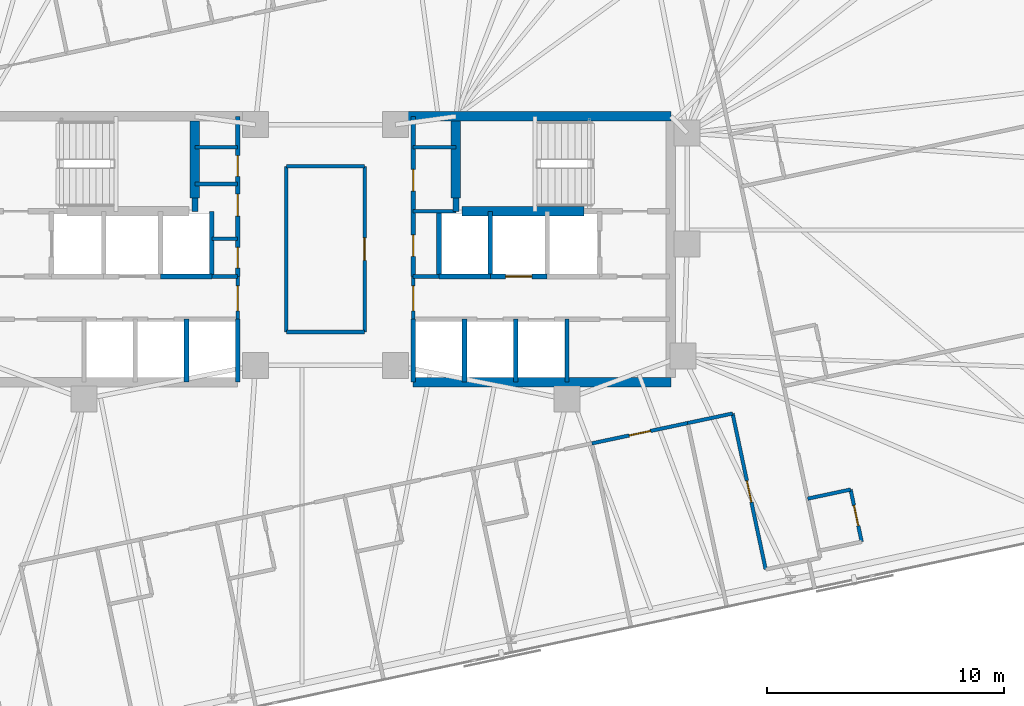
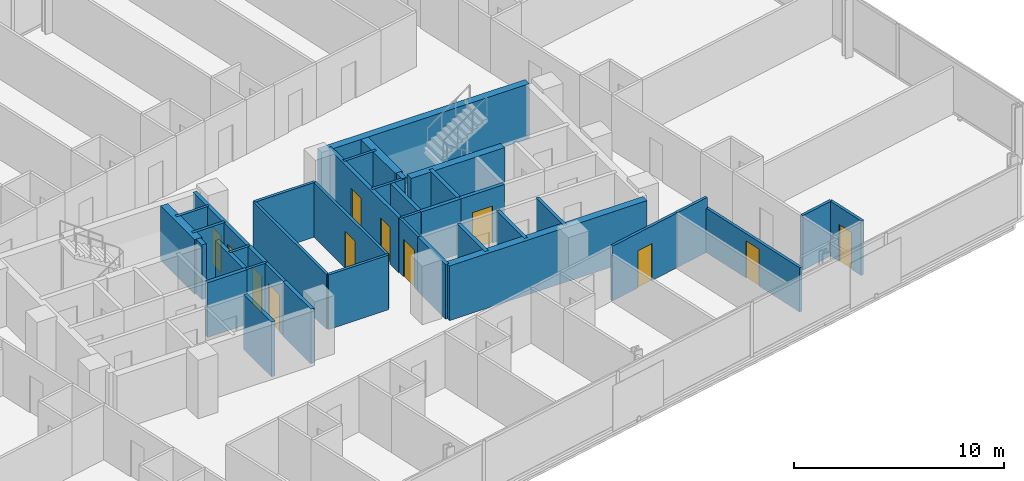
# One storey, part 16 of 21: 39 walls, 12 doors, 12 openings.
"""IFC4 building model written with IfcOpenShell, lengths in metres."""

from ifc_helpers import new_model, si_unit, direction, frame, frame_2d, origin, place, context, subcontext, project, spatial, rectangle, extrude, material, layer, layer_set, type_object, element, fill, save


model = new_model("IFC4")

# Units and contexts
model_context = context("Model", 3, precision=1e-05, world=origin(), true_north=direction((0.0, 1.0)))
body_context = subcontext(model_context, "Body", "Model", "MODEL_VIEW")
ifc_project = project(units=[si_unit("LENGTHUNIT", "METRE"), si_unit("AREAUNIT", "SQUARE_METRE"), si_unit("VOLUMEUNIT", "CUBIC_METRE"), si_unit("PLANEANGLEUNIT", "RADIAN"), si_unit("MASSUNIT", "GRAM", prefix="KILO")], contexts=[model_context])

# Site, building, storey
site_placement = place(None, origin())
site = spatial("IfcSite", under=ifc_project, at=site_placement, CompositionType="ELEMENT")
building_placement = place(site_placement, origin())
building = spatial("IfcBuilding", under=site, at=building_placement, Name="Menara Jurai Vektor", CompositionType="ELEMENT")
storey_placement = place(building_placement, frame((0.0, 0.0, 165.0)))
storey = spatial("IfcBuildingStorey", under=building, at=storey_placement, Name="L42", CompositionType="ELEMENT", Elevation=165.0)

# Walls
ifc_material_1 = material(Name="Concrete C40/50", Category="concrete")
ifc_layer_1 = layer(ifc_material_1, 0.25)
ifc_layer_set_1 = layer_set([ifc_layer_1], Name="Concrete C40/50")
wall_type_1 = type_object("IfcWallType", Name="INT-WALL-CORE-250", PredefinedType="STANDARD", material=ifc_layer_set_1)
for number, where, z_axis, x_axis, name in (
    (1, (-5.5, 1.60009765625, 0.0), (0.0, 0.0, 1.0), (0.0, 1.0, 0.0), "Interior Wall IW-250 L42"),
    (2, (5.5, 1.60009765625, 0.0), (0.0, 0.0, 1.0), (0.0, 1.0, 0.0), "Interior Wall IW-250 L42"),
):
    element("IfcWall", number, at=place(storey_placement, frame(where, z_axis=z_axis, x_axis=x_axis)), inside=storey, type_object=wall_type_1, Name=name, PredefinedType="STANDARD", context=body_context, shape_type="SweptSolid", body=[
        extrude(rectangle(XDim=0.5498046875, YDim=0.25, at=frame_2d((0.27490234375, 0.0))), origin(), (0.0, 0.0, 1.0), 3.175048828125),
    ])

# Wall, opening, door
ifc_material_2 = material(Name="Gypsum Fireboard Partition", Category="gypsum")
ifc_layer_2 = layer(ifc_material_2, 0.14990234375)
ifc_layer_set_2 = layer_set([ifc_layer_2], Name="Gypsum Fireboard Partition")
wall_type_2 = type_object("IfcWallType", Name="INT-WALL-CORR-150", PredefinedType="PARTITIONING", material=ifc_layer_set_2)
wall_1_placement = place(storey_placement, frame((-3.699951171875, -2.949951171875, 0.0), z_axis=(0.0, 0.0, 1.0), x_axis=(0.0, 1.0, 0.0)))
wall_1 = element("IfcWall", 3, at=wall_1_placement, inside=storey, type_object=wall_type_2, Name="Interior Wall IW-150 L42", PredefinedType="PARTITIONING", context=body_context, shape_type="SweptSolid", body=[
    extrude(rectangle(XDim=1.800048828125, YDim=0.14990234375, at=frame_2d((0.89990234375, 0.0))), origin(), (0.0, 0.0, 1.0), 3.175048828125),
])
opening_1_placement = place(wall_1_placement, frame((0.35009765625, 0.0, 0.0)))
opening_1 = element("IfcOpeningElement", 4, at=opening_1_placement, cuts=wall_1, Name="Opening D-L42-LLW", PredefinedType="OPENING", context=body_context, shape_type="SweptSolid", body=[
    extrude(rectangle(XDim=1.050048828125, YDim=2.179931640625, at=frame_2d((0.52490234375, 1.08984375))), frame((0.0, 0.0849609375, 0.0), z_axis=(0.0, -1.0, 0.0), x_axis=(1.0, 0.0, 0.0)), (0.0, 0.0, 1.0), 0.169921875),
])
ifc_material_3 = material(Name="Fire-Rated Timber Door", Category="wood")
door_type_1 = type_object("IfcDoorType", Name="DR-LOBBY-1050", OperationType="NOTDEFINED", PredefinedType="DOOR", material=ifc_material_3)
door_1_placement = place(opening_1_placement, origin())
door_1 = element("IfcDoor", 5, at=door_1_placement, inside=storey, type_object=door_type_1, Name="Lift Lobby Corridor Door W L42", OperationType="SINGLE_SWING_LEFT", OverallHeight=2.179931640625, OverallWidth=1.050048828125, PredefinedType="DOOR", context=body_context, shape_type="SweptSolid", body=[
    extrude(rectangle(XDim=1.050048828125, YDim=2.179931640625, at=frame_2d((0.52490234375, 1.08984375))), frame((0.0, 0.02490234375, 0.0), z_axis=(0.0, -1.0, 0.0), x_axis=(1.0, 0.0, 0.0)), (0.0, 0.0, 1.0), 0.050048828125),
])
fill(opening_1, door_1)

# Wall
wall_2_placement = place(storey_placement, frame((-4.7900390625, -1.14990234375, 0.0), z_axis=(0.0, 0.0, 1.0), x_axis=(1.0, 0.0, 0.0)))
element("IfcWall", 6, at=wall_2_placement, inside=storey, type_object=wall_type_2, Name="Interior Wall IW-150 L42", PredefinedType="PARTITIONING", context=body_context, shape_type="SweptSolid", body=[
    extrude(rectangle(XDim=1.090087890625, YDim=0.14990234375, at=frame_2d((0.544921875, 0.0))), origin(), (0.0, 0.0, 1.0), 3.175048828125),
])

# Wall, opening, door
wall_3_placement = place(storey_placement, frame((3.699951171875, -2.949951171875, 0.0), z_axis=(0.0, 0.0, 1.0), x_axis=(0.0, 1.0, 0.0)))
wall_3 = element("IfcWall", 7, at=wall_3_placement, inside=storey, type_object=wall_type_2, Name="Interior Wall IW-150 L42", PredefinedType="PARTITIONING", context=body_context, shape_type="SweptSolid", body=[
    extrude(rectangle(XDim=1.800048828125, YDim=0.14990234375, at=frame_2d((0.89990234375, 0.0))), origin(), (0.0, 0.0, 1.0), 3.175048828125),
])
opening_2_placement = place(wall_3_placement, frame((0.35009765625, 0.0, 0.0)))
opening_2 = element("IfcOpeningElement", 8, at=opening_2_placement, cuts=wall_3, Name="Opening D-L42-LLE", PredefinedType="OPENING", context=body_context, shape_type="SweptSolid", body=[
    extrude(rectangle(XDim=1.050048828125, YDim=2.179931640625, at=frame_2d((0.52490234375, 1.08984375))), frame((0.0, 0.0849609375, 0.0), z_axis=(0.0, -1.0, 0.0), x_axis=(1.0, 0.0, 0.0)), (0.0, 0.0, 1.0), 0.169921875),
])
door_2_placement = place(opening_2_placement, frame((1.050048828125, 0.0, 0.0), z_axis=(0.0, 0.0, 1.0), x_axis=(-1.0, 0.0, 0.0)))
door_2 = element("IfcDoor", 9, at=door_2_placement, inside=storey, type_object=door_type_1, Name="Lift Lobby Corridor Door E L42", OperationType="SINGLE_SWING_RIGHT", OverallHeight=2.179931640625, OverallWidth=1.050048828125, PredefinedType="DOOR", context=body_context, shape_type="SweptSolid", body=[
    extrude(rectangle(XDim=1.050048828125, YDim=2.179931640625, at=frame_2d((0.52490234375, 1.08984375))), frame((0.0, 0.02490234375, 0.0), z_axis=(0.0, -1.0, 0.0), x_axis=(1.0, 0.0, 0.0)), (0.0, 0.0, 1.0), 0.050048828125),
])
fill(opening_2, door_2)

# Walls
wall_4_placement = place(storey_placement, frame((3.699951171875, -1.14990234375, 0.0), z_axis=(0.0, 0.0, 1.0), x_axis=(1.0, 0.0, 0.0)))
element("IfcWall", 10, at=wall_4_placement, inside=storey, type_object=wall_type_2, Name="Interior Wall IW-150 L42", PredefinedType="PARTITIONING", context=body_context, shape_type="SweptSolid", body=[
    extrude(rectangle(XDim=1.090087890625, YDim=0.14990234375, at=frame_2d((0.544921875, 0.0))), origin(), (0.0, 0.0, 1.0), 3.175048828125),
])
wall_5_placement = place(storey_placement, frame((-5.5, 4.300048828125, 0.0), z_axis=(0.0, 0.0, 1.0), x_axis=(1.0, 0.0, 0.0)))
element("IfcWall", 11, at=wall_5_placement, inside=storey, type_object=wall_type_2, Name="Interior Wall IW-150 L42", PredefinedType="PARTITIONING", context=body_context, shape_type="SweptSolid", body=[
    extrude(rectangle(XDim=1.800048828125, YDim=0.14990234375, at=frame_2d((0.89990234375, 0.0))), origin(), (0.0, 0.0, 1.0), 3.175048828125),
])
wall_6_placement = place(storey_placement, frame((-4.7900390625, 0.449951171875, 0.0), z_axis=(0.0, 0.0, 1.0), x_axis=(1.0, 0.0, 0.0)))
element("IfcWall", 12, at=wall_6_placement, inside=storey, type_object=wall_type_2, Name="Interior Wall IW-150 L42", PredefinedType="PARTITIONING", context=body_context, shape_type="SweptSolid", body=[
    extrude(rectangle(XDim=1.090087890625, YDim=0.14990234375, at=frame_2d((0.544921875, 0.0))), origin(), (0.0, 0.0, 1.0), 3.175048828125),
])
for number, where, z_axis, x_axis, name in (
    (13, (-5.5, 2.75, 0.0), (0.0, 0.0, 1.0), (1.0, 0.0, 0.0), "Interior Wall IW-150 L42"),
    (14, (3.699951171875, 4.300048828125, 0.0), (0.0, 0.0, 1.0), (1.0, 0.0, 0.0), "Interior Wall IW-150 L42"),
    (15, (3.699951171875, 1.60009765625, 0.0), (0.0, 0.0, 1.0), (1.0, 0.0, 0.0), "Interior Wall IW-150 L42"),
):
    element("IfcWall", number, at=place(storey_placement, frame(where, z_axis=z_axis, x_axis=x_axis)), inside=storey, type_object=wall_type_2, Name=name, PredefinedType="PARTITIONING", context=body_context, shape_type="SweptSolid", body=[
        extrude(rectangle(XDim=1.800048828125, YDim=0.14990234375, at=frame_2d((0.89990234375, 0.0))), origin(), (0.0, 0.0, 1.0), 3.175048828125),
    ])
wall_7_placement = place(storey_placement, frame((-1.64990234375, -3.489501953125, 0.0), z_axis=(0.0, 0.0, 1.0), x_axis=(-3.4979712e-05, 0.999999999388, 0.0)))
element("IfcWall", 16, at=wall_7_placement, inside=storey, type_object=wall_type_2, Name="Interior Wall IW-150 L42", PredefinedType="PARTITIONING", context=body_context, shape_type="SweptSolid", body=[
    extrude(rectangle(XDim=6.9794921875, YDim=0.14990234375, at=frame_2d((3.48974609375, 0.0))), origin(), (0.0, 0.0, 1.0), 3.175048828125),
])
wall_8_placement = place(storey_placement, frame((-1.64990234375, -3.489501953125, 0.0), z_axis=(0.0, 0.0, 1.0), x_axis=(0.999999975374, -0.000221926315, 0.0)))
element("IfcWall", 17, at=wall_8_placement, inside=storey, type_object=wall_type_2, Name="Interior Wall IW-150 L42", PredefinedType="PARTITIONING", context=body_context, shape_type="SweptSolid", body=[
    extrude(rectangle(XDim=3.30029296875, YDim=0.14990234375, at=frame_2d((1.650146484375, 0.0))), origin(), (0.0, 0.0, 1.0), 3.175048828125),
])
wall_9_placement = place(storey_placement, frame((-1.650146484375, 3.489990234375, 0.0), z_axis=(0.0, 0.0, 1.0), x_axis=(1.0, 0.0, 0.0)))
element("IfcWall", 18, at=wall_9_placement, inside=storey, type_object=wall_type_2, Name="Interior Wall IW-150 L42", PredefinedType="PARTITIONING", context=body_context, shape_type="SweptSolid", body=[
    extrude(rectangle(XDim=3.300048828125, YDim=0.14990234375, at=frame_2d((1.64990234375, 0.0))), origin(), (0.0, 0.0, 1.0), 3.175048828125),
])

# Wall, opening, door
wall_10_placement = place(storey_placement, frame((1.650390625, -3.490234375, 0.0), z_axis=(0.0, 0.0, 1.0), x_axis=(-6.9952083e-05, 0.999999997553, 0.0)))
wall_10 = element("IfcWall", 19, at=wall_10_placement, inside=storey, type_object=wall_type_2, Name="Interior Wall IW-150 L42", PredefinedType="PARTITIONING", context=body_context, shape_type="SweptSolid", body=[
    extrude(rectangle(XDim=6.980224609375, YDim=0.14990234375, at=frame_2d((3.490234375, 0.0))), origin(), (0.0, 0.0, 1.0), 3.175048828125),
])
opening_3_placement = place(wall_10_placement, frame((3.01513671875, 0.0, 0.0)))
opening_3 = element("IfcOpeningElement", 20, at=opening_3_placement, cuts=wall_10, Name="Opening D42-08", PredefinedType="OPENING", context=body_context, shape_type="SweptSolid", body=[
    extrude(rectangle(XDim=0.949951171875, YDim=2.14990234375, at=frame_2d((0.47509765625, 1.074951171875))), frame((0.0, 0.0849609375, 0.0), z_axis=(0.0, -1.0, 0.0), x_axis=(1.0, 0.0, 0.0)), (0.0, 0.0, 1.0), 0.169921875),
])
ifc_material_4 = material(Name="Solid Core Timber Fire Door", Category="wood")
door_type_2 = type_object("IfcDoorType", Name="DR-ENTRY-950", OperationType="NOTDEFINED", PredefinedType="DOOR", material=ifc_material_4)
door_3_placement = place(opening_3_placement, origin())
door_3 = element("IfcDoor", 21, at=door_3_placement, inside=storey, type_object=door_type_2, Name="Interior Door D42-08", OperationType="SINGLE_SWING_LEFT", OverallHeight=2.14990234375, OverallWidth=0.949951171875, PredefinedType="DOOR", context=body_context, shape_type="SweptSolid", body=[
    extrude(rectangle(XDim=0.949951171875, YDim=2.14990234375, at=frame_2d((0.47509765625, 1.074951171875))), frame((0.0, 0.02490234375, 0.0), z_axis=(0.0, -1.0, 0.0), x_axis=(1.0, 0.0, 0.0)), (0.0, 0.0, 1.0), 0.050048828125),
])
fill(opening_3, door_3)

wall_11_placement = place(storey_placement, frame((11.23388671875, -8.185302734375, 0.0), z_axis=(0.0, 0.0, 1.0), x_axis=(0.978155092113, 0.207876443525, 0.0)))
wall_11 = element("IfcWall", 22, at=wall_11_placement, inside=storey, type_object=wall_type_2, Name="Interior Wall IW-150 L42", PredefinedType="PARTITIONING", context=body_context, shape_type="SweptSolid", body=[
    extrude(rectangle(XDim=4.126953125, YDim=0.14990234375, at=frame_2d((2.0634765625, 0.0))), origin(), (0.0, 0.0, 1.0), 3.175048828125),
])
opening_4_placement = place(wall_11_placement, frame((1.603515625, 0.0, 0.0)))
opening_4 = element("IfcOpeningElement", 23, at=opening_4_placement, cuts=wall_11, Name="Opening D42-30", PredefinedType="OPENING", context=body_context, shape_type="SweptSolid", body=[
    extrude(rectangle(XDim=0.919921875, YDim=2.14990234375, at=frame_2d((0.4599609375, 1.074951171875))), frame((0.0, 0.0849609375, 0.0), z_axis=(0.0, -1.0, 0.0), x_axis=(1.0, 0.0, 0.0)), (0.0, 0.0, 1.0), 0.169921875),
])
door_4_placement = place(opening_4_placement, origin())
door_4 = element("IfcDoor", 24, at=door_4_placement, inside=storey, type_object=door_type_2, Name="Interior Door D42-30", OperationType="SINGLE_SWING_LEFT", OverallHeight=2.14990234375, OverallWidth=0.919921875, PredefinedType="DOOR", context=body_context, shape_type="SweptSolid", body=[
    extrude(rectangle(XDim=0.919921875, YDim=2.14990234375, at=frame_2d((0.4599609375, 1.074951171875))), frame((0.0, 0.02490234375, 0.0), z_axis=(0.0, -1.0, 0.0), x_axis=(1.0, 0.0, 0.0)), (0.0, 0.0, 1.0), 0.050048828125),
])
fill(opening_4, door_4)

# Walls
wall_12_placement = place(storey_placement, frame((15.270751953125, -7.327392578125, 0.0), z_axis=(0.0, 0.0, 1.0), x_axis=(0.978150188204, 0.207899517354, 0.0)))
element("IfcWall", 25, at=wall_12_placement, inside=storey, type_object=wall_type_2, Name="Interior Wall IW-150 L42", PredefinedType="PARTITIONING", context=body_context, shape_type="SweptSolid", body=[
    extrude(rectangle(XDim=1.93408203125, YDim=0.14990234375, at=frame_2d((0.967041015625, 0.0))), origin(), (0.0, 0.0, 1.0), 3.175048828125),
])
wall_13_placement = place(storey_placement, frame((20.328125, -10.515380859375, 0.0), z_axis=(0.0, 0.0, 1.0), x_axis=(0.978160192495, 0.207852442415, 0.0)))
element("IfcWall", 26, at=wall_13_placement, inside=storey, type_object=wall_type_2, Name="Interior Wall IW-150 L42", PredefinedType="PARTITIONING", context=body_context, shape_type="SweptSolid", body=[
    extrude(rectangle(XDim=1.849853515625, YDim=0.14990234375, at=frame_2d((0.9248046875, 0.0))), origin(), (0.0, 0.0, 1.0), 3.175048828125),
])

# Wall, opening, door
wall_14_placement = place(storey_placement, frame((22.60546875, -12.331787109375, 0.0), z_axis=(0.0, 0.0, 1.0), x_axis=(-0.207891197838, 0.978151956427, 0.0)))
wall_14 = element("IfcWall", 27, at=wall_14_placement, inside=storey, type_object=wall_type_2, Name="Interior Wall IW-150 L42", PredefinedType="PARTITIONING", context=body_context, shape_type="SweptSolid", body=[
    extrude(rectangle(XDim=2.25, YDim=0.14990234375, at=frame_2d((1.125, 0.0))), origin(), (0.0, 0.0, 1.0), 3.175048828125),
])
opening_5_placement = place(wall_14_placement, frame((0.68505859375, 0.0, 0.0)))
opening_5 = element("IfcOpeningElement", 28, at=opening_5_placement, cuts=wall_14, Name="Opening D42-45", PredefinedType="OPENING", context=body_context, shape_type="SweptSolid", body=[
    extrude(rectangle(XDim=0.8798828125, YDim=2.14990234375, at=frame_2d((0.43994140625, 1.074951171875))), frame((0.0, 0.0849609375, 0.0), z_axis=(0.0, -1.0, 0.0), x_axis=(1.0, 0.0, 0.0)), (0.0, 0.0, 1.0), 0.169921875),
])
ifc_material_5 = material(Name="Moisture-Resistant Timber Door", Category="wood")
door_type_3 = type_object("IfcDoorType", Name="DR-BATH-880", OperationType="NOTDEFINED", PredefinedType="DOOR", material=ifc_material_5)
door_5_placement = place(opening_5_placement, origin())
door_5 = element("IfcDoor", 29, at=door_5_placement, inside=storey, type_object=door_type_3, Name="Interior Door D42-45", OperationType="SINGLE_SWING_RIGHT", OverallHeight=2.14990234375, OverallWidth=0.8798828125, PredefinedType="DOOR", context=body_context, shape_type="SweptSolid", body=[
    extrude(rectangle(XDim=0.8798828125, YDim=2.14990234375, at=frame_2d((0.43994140625, 1.074951171875))), frame((0.0, 0.02490234375, 0.0), z_axis=(0.0, -1.0, 0.0), x_axis=(1.0, 0.0, 0.0)), (0.0, 0.0, 1.0), 0.050048828125),
])
fill(opening_5, door_5)

ifc_layer_3 = layer(ifc_material_2, 0.14990234375)
ifc_layer_set_3 = layer_set([ifc_layer_3], Name="Gypsum Fireboard Partition")
wall_type_3 = type_object("IfcWallType", Name="INT-WALL-CORR-150-H2", PredefinedType="PARTITIONING", material=ifc_layer_set_3)
wall_15_placement = place(storey_placement, frame((18.5595703125, -13.498291015625, 0.0), z_axis=(0.0, 0.0, 1.0), x_axis=(-0.207888737749, 0.978152479278, 0.0)))
wall_15 = element("IfcWall", 30, at=wall_15_placement, inside=storey, type_object=wall_type_3, Name="Interior Wall IW-150 L42", PredefinedType="PARTITIONING", context=body_context, shape_type="SweptSolid", body=[
    extrude(rectangle(XDim=6.7197265625, YDim=0.14990234375, at=frame_2d((3.35986328125, 0.0))), origin(), (0.0, 0.0, 1.0), 2.574951171875),
])
opening_6_placement = place(wall_15_placement, frame((2.89990234375, 0.0, 0.0)))
opening_6 = element("IfcOpeningElement", 31, at=opening_6_placement, cuts=wall_15, Name="Opening D42-31", PredefinedType="OPENING", context=body_context, shape_type="SweptSolid", body=[
    extrude(rectangle(XDim=0.919921875, YDim=2.14990234375, at=frame_2d((0.4599609375, 1.074951171875))), frame((0.0, 0.0849609375, 0.0), z_axis=(0.0, -1.0, 0.0), x_axis=(1.0, 0.0, 0.0)), (0.0, 0.0, 1.0), 0.169921875),
])
door_6_placement = place(opening_6_placement, origin())
door_6 = element("IfcDoor", 32, at=door_6_placement, inside=storey, type_object=door_type_2, Name="Interior Door D42-31", OperationType="SINGLE_SWING_RIGHT", OverallHeight=2.14990234375, OverallWidth=0.919921875, PredefinedType="DOOR", context=body_context, shape_type="SweptSolid", body=[
    extrude(rectangle(XDim=0.919921875, YDim=2.14990234375, at=frame_2d((0.4599609375, 1.074951171875))), frame((0.0, 0.02490234375, 0.0), z_axis=(0.0, -1.0, 0.0), x_axis=(1.0, 0.0, 0.0)), (0.0, 0.0, 1.0), 0.050048828125),
])
fill(opening_6, door_6)

# Wall, openings, doors
ifc_layer_4 = layer(ifc_material_1, 0.199951171875)
ifc_layer_set_4 = layer_set([ifc_layer_4], Name="Concrete C40/50")
wall_type_4 = type_object("IfcWallType", Name="INT-WALL-SHAFT-200", PredefinedType="STANDARD", material=ifc_layer_set_4)
wall_16_placement = place(storey_placement, frame((-3.699951171875, -1.14990234375, 0.0), z_axis=(0.0, 0.0, 1.0), x_axis=(0.0, 1.0, 0.0)))
wall_16 = element("IfcWall", 33, at=wall_16_placement, inside=storey, type_object=wall_type_4, Name="Interior Wall IW-200 L42", PredefinedType="STANDARD", context=body_context, shape_type="SweptSolid", body=[
    extrude(rectangle(XDim=6.75, YDim=0.199951171875, at=frame_2d((3.375, 0.0))), origin(), (0.0, 0.0, 1.0), 3.175048828125),
])
opening_7_placement = place(wall_16_placement, frame((0.35009765625, 0.0, 0.0)))
opening_7 = element("IfcOpeningElement", 34, at=opening_7_placement, cuts=wall_16, Name="Opening D42-02", PredefinedType="OPENING", context=body_context, shape_type="SweptSolid", body=[
    extrude(rectangle(XDim=0.8798828125, YDim=2.14990234375, at=frame_2d((0.43994140625, 1.074951171875))), frame((0.0, 0.10986328125, 0.0), z_axis=(0.0, -1.0, 0.0), x_axis=(1.0, 0.0, 0.0)), (0.0, 0.0, 1.0), 0.219970703125),
])
opening_8_placement = place(wall_16_placement, frame((2.550048828125, 0.0, 0.0)))
opening_8 = element("IfcOpeningElement", 35, at=opening_8_placement, cuts=wall_16, Name="Opening D42-03", PredefinedType="OPENING", context=body_context, shape_type="SweptSolid", body=[
    extrude(rectangle(XDim=0.919921875, YDim=2.14990234375, at=frame_2d((0.4599609375, 1.074951171875))), frame((0.0, 0.10986328125, 0.0), z_axis=(0.0, -1.0, 0.0), x_axis=(1.0, 0.0, 0.0)), (0.0, 0.0, 1.0), 0.219970703125),
])
opening_9_placement = place(wall_16_placement, frame((4.219970703125, 0.0, 0.0)))
opening_9 = element("IfcOpeningElement", 36, at=opening_9_placement, cuts=wall_16, Name="Opening D42-04", PredefinedType="OPENING", context=body_context, shape_type="SweptSolid", body=[
    extrude(rectangle(XDim=0.8798828125, YDim=2.14990234375, at=frame_2d((0.43994140625, 1.074951171875))), frame((0.0, 0.10986328125, 0.0), z_axis=(0.0, -1.0, 0.0), x_axis=(1.0, 0.0, 0.0)), (0.0, 0.0, 1.0), 0.219970703125),
])
door_7_placement = place(opening_7_placement, origin())
door_7 = element("IfcDoor", 37, at=door_7_placement, inside=storey, type_object=door_type_2, Name="Interior Door D42-02", OperationType="SINGLE_SWING_LEFT", OverallHeight=2.14990234375, OverallWidth=0.8798828125, PredefinedType="DOOR", context=body_context, shape_type="SweptSolid", body=[
    extrude(rectangle(XDim=0.8798828125, YDim=2.14990234375, at=frame_2d((0.43994140625, 1.074951171875))), frame((0.0, 0.02490234375, 0.0), z_axis=(0.0, -1.0, 0.0), x_axis=(1.0, 0.0, 0.0)), (0.0, 0.0, 1.0), 0.050048828125),
])
fill(opening_7, door_7)
door_8_placement = place(opening_8_placement, origin())
door_8 = element("IfcDoor", 38, at=door_8_placement, inside=storey, type_object=door_type_2, Name="Interior Door D42-03", OperationType="SINGLE_SWING_LEFT", OverallHeight=2.14990234375, OverallWidth=0.919921875, PredefinedType="DOOR", context=body_context, shape_type="SweptSolid", body=[
    extrude(rectangle(XDim=0.919921875, YDim=2.14990234375, at=frame_2d((0.4599609375, 1.074951171875))), frame((0.0, 0.02490234375, 0.0), z_axis=(0.0, -1.0, 0.0), x_axis=(1.0, 0.0, 0.0)), (0.0, 0.0, 1.0), 0.050048828125),
])
fill(opening_8, door_8)
door_9_placement = place(opening_9_placement, origin())
door_9 = element("IfcDoor", 39, at=door_9_placement, inside=storey, type_object=door_type_2, Name="Interior Door D42-04", OperationType="SINGLE_SWING_LEFT", OverallHeight=2.14990234375, OverallWidth=0.8798828125, PredefinedType="DOOR", context=body_context, shape_type="SweptSolid", body=[
    extrude(rectangle(XDim=0.8798828125, YDim=2.14990234375, at=frame_2d((0.43994140625, 1.074951171875))), frame((0.0, 0.02490234375, 0.0), z_axis=(0.0, -1.0, 0.0), x_axis=(1.0, 0.0, 0.0)), (0.0, 0.0, 1.0), 0.050048828125),
])
fill(opening_9, door_9)

# Walls
wall_17_placement = place(storey_placement, frame((-3.699951171875, -5.60009765625, 0.0), z_axis=(0.0, 0.0, 1.0), x_axis=(0.0, 1.0, 0.0)))
element("IfcWall", 40, at=wall_17_placement, inside=storey, type_object=wall_type_4, Name="Interior Wall IW-200 L42", PredefinedType="STANDARD", context=body_context, shape_type="SweptSolid", body=[
    extrude(rectangle(XDim=2.650146484375, YDim=0.199951171875, at=frame_2d((1.3251953125, 0.0))), origin(), (0.0, 0.0, 1.0), 3.175048828125),
])
wall_18_placement = place(storey_placement, frame((-4.7900390625, -1.14990234375, 0.0), z_axis=(0.0, 0.0, 1.0), x_axis=(0.0, 1.0, 0.0)))
element("IfcWall", 41, at=wall_18_placement, inside=storey, type_object=wall_type_4, Name="Interior Wall IW-200 L42", PredefinedType="STANDARD", context=body_context, shape_type="SweptSolid", body=[
    extrude(rectangle(XDim=2.75, YDim=0.199951171875, at=frame_2d((1.375, 0.0))), origin(), (0.0, 0.0, 1.0), 3.175048828125),
])
wall_19_placement = place(storey_placement, frame((-6.949951171875, -1.14990234375, 0.0), z_axis=(0.0, 0.0, 1.0), x_axis=(1.0, 0.0, 0.0)))
element("IfcWall", 42, at=wall_19_placement, inside=storey, type_object=wall_type_4, Name="Interior Wall IW-200 L42", PredefinedType="STANDARD", context=body_context, shape_type="SweptSolid", body=[
    extrude(rectangle(XDim=2.159912109375, YDim=0.199951171875, at=frame_2d((1.080078125, 0.0))), origin(), (0.0, 0.0, 1.0), 3.175048828125),
])
wall_20_placement = place(storey_placement, frame((-5.860107421875, -5.60009765625, 0.0), z_axis=(0.0, 0.0, 1.0), x_axis=(0.0, 1.0, 0.0)))
element("IfcWall", 43, at=wall_20_placement, inside=storey, type_object=wall_type_4, Name="Interior Wall IW-200 L42", PredefinedType="STANDARD", context=body_context, shape_type="SweptSolid", body=[
    extrude(rectangle(XDim=2.650146484375, YDim=0.199951171875, at=frame_2d((1.3251953125, 0.0))), origin(), (0.0, 0.0, 1.0), 3.175048828125),
])

# Wall, openings, doors
wall_21_placement = place(storey_placement, frame((3.699951171875, -1.14990234375, 0.0), z_axis=(0.0, 0.0, 1.0), x_axis=(0.0, 1.0, 0.0)))
wall_21 = element("IfcWall", 44, at=wall_21_placement, inside=storey, type_object=wall_type_4, Name="Interior Wall IW-200 L42", PredefinedType="STANDARD", context=body_context, shape_type="SweptSolid", body=[
    extrude(rectangle(XDim=6.75, YDim=0.199951171875, at=frame_2d((3.375, 0.0))), origin(), (0.0, 0.0, 1.0), 3.175048828125),
])
opening_10_placement = place(wall_21_placement, frame((3.60009765625, 0.0, 0.0)))
opening_10 = element("IfcOpeningElement", 45, at=opening_10_placement, cuts=wall_21, Name="Opening D42-06", PredefinedType="OPENING", context=body_context, shape_type="SweptSolid", body=[
    extrude(rectangle(XDim=0.919921875, YDim=2.14990234375, at=frame_2d((0.4599609375, 1.074951171875))), frame((0.0, 0.10986328125, 0.0), z_axis=(0.0, -1.0, 0.0), x_axis=(1.0, 0.0, 0.0)), (0.0, 0.0, 1.0), 0.219970703125),
])
opening_11_placement = place(wall_21_placement, frame((0.85009765625, 0.0, 0.0)))
opening_11 = element("IfcOpeningElement", 46, at=opening_11_placement, cuts=wall_21, Name="Opening D42-07", PredefinedType="OPENING", context=body_context, shape_type="SweptSolid", body=[
    extrude(rectangle(XDim=0.89990234375, YDim=2.14990234375, at=frame_2d((0.449951171875, 1.074951171875))), frame((0.0, 0.10986328125, 0.0), z_axis=(0.0, -1.0, 0.0), x_axis=(1.0, 0.0, 0.0)), (0.0, 0.0, 1.0), 0.219970703125),
])
door_10_placement = place(opening_10_placement, origin())
door_10 = element("IfcDoor", 47, at=door_10_placement, inside=storey, type_object=door_type_2, Name="Interior Door D42-06", OperationType="SINGLE_SWING_RIGHT", OverallHeight=2.14990234375, OverallWidth=0.919921875, PredefinedType="DOOR", context=body_context, shape_type="SweptSolid", body=[
    extrude(rectangle(XDim=0.919921875, YDim=2.14990234375, at=frame_2d((0.4599609375, 1.074951171875))), frame((0.0, 0.02490234375, 0.0), z_axis=(0.0, -1.0, 0.0), x_axis=(1.0, 0.0, 0.0)), (0.0, 0.0, 1.0), 0.050048828125),
])
fill(opening_10, door_10)
door_11_placement = place(opening_11_placement, origin())
door_11 = element("IfcDoor", 48, at=door_11_placement, inside=storey, type_object=door_type_2, Name="Interior Door D42-07", OperationType="SINGLE_SWING_RIGHT", OverallHeight=2.14990234375, OverallWidth=0.89990234375, PredefinedType="DOOR", context=body_context, shape_type="SweptSolid", body=[
    extrude(rectangle(XDim=0.89990234375, YDim=2.14990234375, at=frame_2d((0.449951171875, 1.074951171875))), frame((0.0, 0.02490234375, 0.0), z_axis=(0.0, -1.0, 0.0), x_axis=(1.0, 0.0, 0.0)), (0.0, 0.0, 1.0), 0.050048828125),
])
fill(opening_11, door_11)

# Walls
wall_22_placement = place(storey_placement, frame((3.699951171875, -5.60009765625, 0.0), z_axis=(0.0, 0.0, 1.0), x_axis=(0.0, 1.0, 0.0)))
element("IfcWall", 49, at=wall_22_placement, inside=storey, type_object=wall_type_4, Name="Interior Wall IW-200 L42", PredefinedType="STANDARD", context=body_context, shape_type="SweptSolid", body=[
    extrude(rectangle(XDim=2.650146484375, YDim=0.199951171875, at=frame_2d((1.3251953125, 0.0))), origin(), (0.0, 0.0, 1.0), 3.175048828125),
])
wall_23_placement = place(storey_placement, frame((6.949951171875, -1.14990234375, 0.0), z_axis=(0.0, 0.0, 1.0), x_axis=(0.0, 1.0, 0.0)))
element("IfcWall", 50, at=wall_23_placement, inside=storey, type_object=wall_type_4, Name="Interior Wall IW-200 L42", PredefinedType="STANDARD", context=body_context, shape_type="SweptSolid", body=[
    extrude(rectangle(XDim=2.75, YDim=0.199951171875, at=frame_2d((1.375, 0.0))), origin(), (0.0, 0.0, 1.0), 3.175048828125),
])

# Wall, opening, door
wall_24_placement = place(storey_placement, frame((6.949951171875, -1.14990234375, 0.0), z_axis=(0.0, 0.0, 1.0), x_axis=(1.0, 0.0, 0.0)))
wall_24 = element("IfcWall", 51, at=wall_24_placement, inside=storey, type_object=wall_type_4, Name="Interior Wall IW-200 L42", PredefinedType="STANDARD", context=body_context, shape_type="SweptSolid", body=[
    extrude(rectangle(XDim=2.400146484375, YDim=0.199951171875, at=frame_2d((1.2001953125, 0.0))), origin(), (0.0, 0.0, 1.0), 3.175048828125),
])
opening_12_placement = place(wall_24_placement, frame((0.64990234375, 0.0, 0.0)))
opening_12 = element("IfcOpeningElement", 52, at=opening_12_placement, cuts=wall_24, Name="Opening LD-L42-SVL2", PredefinedType="OPENING", context=body_context, shape_type="SweptSolid", body=[
    extrude(rectangle(XDim=1.10009765625, YDim=2.14990234375, at=frame_2d((0.550048828125, 1.074951171875))), frame((0.0, 0.10986328125, 0.0), z_axis=(0.0, -1.0, 0.0), x_axis=(1.0, 0.0, 0.0)), (0.0, 0.0, 1.0), 0.219970703125),
])
ifc_material_6 = material(Name="Anodised Stainless Sliding Lift Landing Door", Category="steel")
door_type_4 = type_object("IfcDoorType", Name="DR-LIFT-PASS-1100", OperationType="NOTDEFINED", PredefinedType="DOOR", material=ifc_material_6)
door_12_placement = place(opening_12_placement, origin())
door_12 = element("IfcDoor", 53, at=door_12_placement, inside=storey, type_object=door_type_4, Name="Lift Landing Door SVL2 L42", OperationType="SLIDING_TO_RIGHT", OverallHeight=2.14990234375, OverallWidth=1.10009765625, PredefinedType="DOOR", context=body_context, shape_type="SweptSolid", body=[
    extrude(rectangle(XDim=1.10009765625, YDim=2.14990234375, at=frame_2d((0.550048828125, 1.074951171875))), frame((0.0, 0.02490234375, 0.0), z_axis=(0.0, -1.0, 0.0), x_axis=(1.0, 0.0, 0.0)), (0.0, 0.0, 1.0), 0.050048828125),
])
fill(opening_12, door_12)

# Walls
wall_25_placement = place(storey_placement, frame((4.7900390625, -1.14990234375, 0.0), z_axis=(0.0, 0.0, 1.0), x_axis=(0.0, 1.0, 0.0)))
element("IfcWall", 54, at=wall_25_placement, inside=storey, type_object=wall_type_4, Name="Interior Wall IW-200 L42", PredefinedType="STANDARD", context=body_context, shape_type="SweptSolid", body=[
    extrude(rectangle(XDim=2.75, YDim=0.199951171875, at=frame_2d((1.375, 0.0))), origin(), (0.0, 0.0, 1.0), 3.175048828125),
])
wall_26_placement = place(storey_placement, frame((4.7900390625, -1.14990234375, 0.0), z_axis=(0.0, 0.0, 1.0), x_axis=(1.0, 0.0, 0.0)))
element("IfcWall", 55, at=wall_26_placement, inside=storey, type_object=wall_type_4, Name="Interior Wall IW-200 L42", PredefinedType="STANDARD", context=body_context, shape_type="SweptSolid", body=[
    extrude(rectangle(XDim=2.159912109375, YDim=0.199951171875, at=frame_2d((1.080078125, 0.0))), origin(), (0.0, 0.0, 1.0), 3.175048828125),
])
wall_27_placement = place(storey_placement, frame((5.860107421875, -5.60009765625, 0.0), z_axis=(0.0, 0.0, 1.0), x_axis=(0.0, 1.0, 0.0)))
element("IfcWall", 56, at=wall_27_placement, inside=storey, type_object=wall_type_4, Name="Interior Wall IW-200 L42", PredefinedType="STANDARD", context=body_context, shape_type="SweptSolid", body=[
    extrude(rectangle(XDim=2.650146484375, YDim=0.199951171875, at=frame_2d((1.3251953125, 0.0))), origin(), (0.0, 0.0, 1.0), 3.175048828125),
])
for number, where, z_axis, x_axis, name in (
    (57, (10.179931640625, -5.60009765625, 0.0), (0.0, 0.0, 1.0), (0.0, 1.0, 0.0), "Interior Wall IW-200 L42"),
    (58, (8.02001953125, -5.60009765625, 0.0), (0.0, 0.0, 1.0), (0.0, 1.0, 0.0), "Interior Wall IW-200 L42"),
):
    element("IfcWall", number, at=place(storey_placement, frame(where, z_axis=z_axis, x_axis=x_axis)), inside=storey, type_object=wall_type_4, Name=name, PredefinedType="STANDARD", context=body_context, shape_type="SweptSolid", body=[
        extrude(rectangle(XDim=2.650146484375, YDim=0.179931640625, at=frame_2d((1.3251953125, 0.0))), origin(), (0.0, 0.0, 1.0), 3.175048828125),
    ])
ifc_material_7 = material(Name="Concrete C50/60", Category="concrete")
ifc_layer_5 = layer(ifc_material_7, 0.39990234375)
ifc_layer_set_5 = layer_set([ifc_layer_5], Name="Concrete C50/60")
wall_type_5 = type_object("IfcWallType", Name="STR-WALL-CORE400", PredefinedType="SHEAR", material=ifc_layer_set_5)
wall_28_placement = place(storey_placement, frame((-5.5, 2.14990234375, 0.0), z_axis=(0.0, 0.0, 1.0), x_axis=(0.0, 1.0, 0.0)))
element("IfcWall", 59, at=wall_28_placement, inside=storey, type_object=wall_type_5, Name="Core Shear Wall CW-W-ST L42", PredefinedType="SHEAR", context=body_context, shape_type="SweptSolid", body=[
    extrude(rectangle(XDim=3.25, YDim=0.39990234375, at=frame_2d((1.625, 0.0))), origin(), (0.0, 0.0, 1.0), 3.175048828125),
])
wall_29_placement = place(storey_placement, frame((3.14990234375, 5.60009765625, 0.0), z_axis=(0.0, 0.0, 1.0), x_axis=(1.0, 0.0, 0.0)))
element("IfcWall", 60, at=wall_29_placement, inside=storey, type_object=wall_type_5, Name="Core Shear Wall CW-E-N L42", PredefinedType="SHEAR", context=body_context, shape_type="SweptSolid", body=[
    extrude(rectangle(XDim=11.41015625, YDim=0.39990234375, at=frame_2d((5.705078125, 0.0))), origin(), (0.0, 0.0, 1.0), 3.175048828125),
])
wall_30_placement = place(storey_placement, frame((3.699951171875, -5.60009765625, 0.0), z_axis=(0.0, 0.0, 1.0), x_axis=(1.0, 0.0, 0.0)))
element("IfcWall", 61, at=wall_30_placement, inside=storey, type_object=wall_type_5, Name="Core Shear Wall CW-E-S L42", PredefinedType="SHEAR", context=body_context, shape_type="SweptSolid", body=[
    extrude(rectangle(XDim=10.860107421875, YDim=0.39990234375, at=frame_2d((5.43017578125, 0.0))), origin(), (0.0, 0.0, 1.0), 3.175048828125),
])
wall_31_placement = place(storey_placement, frame((5.5, 2.14990234375, 0.0), z_axis=(0.0, 0.0, 1.0), x_axis=(0.0, 1.0, 0.0)))
element("IfcWall", 62, at=wall_31_placement, inside=storey, type_object=wall_type_5, Name="Core Shear Wall CW-E-ST L42", PredefinedType="SHEAR", context=body_context, shape_type="SweptSolid", body=[
    extrude(rectangle(XDim=3.25, YDim=0.39990234375, at=frame_2d((1.625, 0.0))), origin(), (0.0, 0.0, 1.0), 3.175048828125),
])
wall_32_placement = place(storey_placement, frame((5.75, 1.60009765625, 0.0), z_axis=(0.0, 0.0, 1.0), x_axis=(1.0, 0.0, 0.0)))
element("IfcWall", 63, at=wall_32_placement, inside=storey, type_object=wall_type_5, Name="Core Shear Wall CW-E-STS L42", PredefinedType="SHEAR", context=body_context, shape_type="SweptSolid", body=[
    extrude(rectangle(XDim=5.14990234375, YDim=0.39990234375, at=frame_2d((2.574951171875, 0.0))), origin(), (0.0, 0.0, 1.0), 3.175048828125),
])

save(model, "model.ifc")
